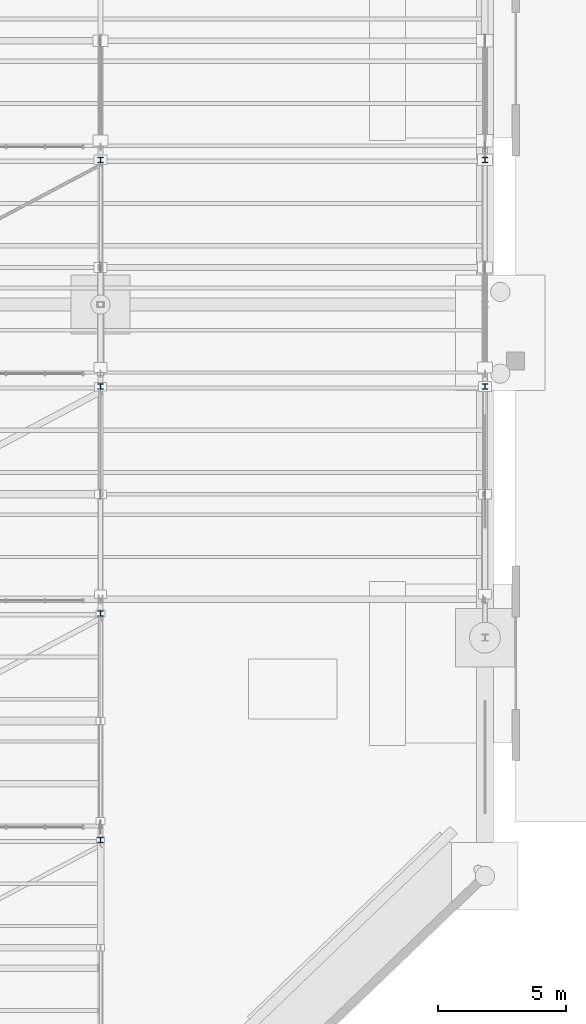
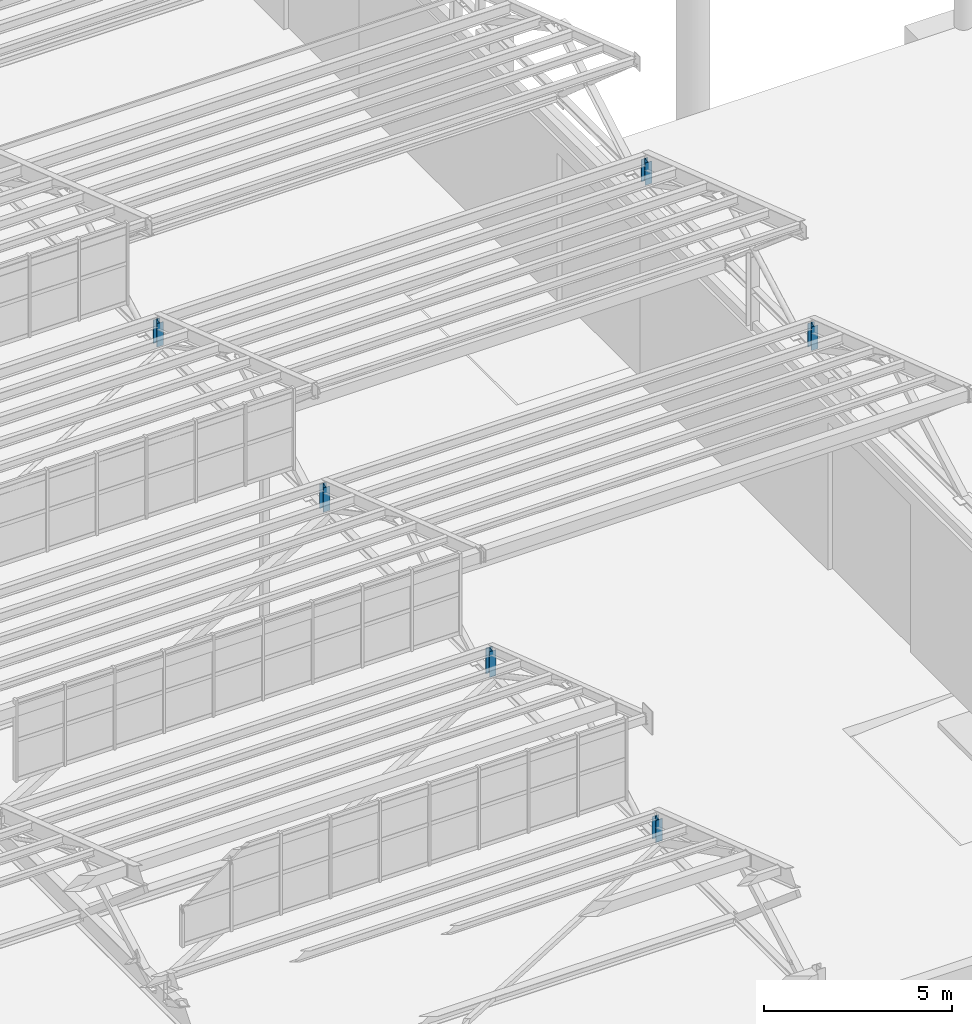
# One storey, part 153 of 285: 6 members.
"""IFC4 building model written with IfcOpenShell, lengths in metres."""

from ifc_helpers import new_model, si_unit, direction, frame, origin, origin_2d, place, context, subcontext, project, spatial, i_section, extrude, material, material_profile, profile_set, type_object, element, save


model = new_model("IFC4")

# Units and contexts
model_context = context("Model", 3, precision=1e-05, world=origin(), true_north=direction((0.0, 1.0)))
body_context = subcontext(model_context, "Body", "Model", "MODEL_VIEW")
ifc_project = project(units=[si_unit("LENGTHUNIT", "METRE"), si_unit("AREAUNIT", "SQUARE_METRE"), si_unit("VOLUMEUNIT", "CUBIC_METRE"), si_unit("PLANEANGLEUNIT", "RADIAN"), si_unit("MASSUNIT", "GRAM", prefix="KILO")], contexts=[model_context])

# Site, building, storey
site_placement = place(None, origin())
site = spatial("IfcSite", under=ifc_project, at=site_placement, CompositionType="ELEMENT")
building_placement = place(site_placement, origin())
building = spatial("IfcBuilding", under=site, at=building_placement, Name="Solanera Park Tramway Depot", CompositionType="ELEMENT")
storey_placement = place(building_placement, origin())
storey = spatial("IfcBuildingStorey", under=building, at=storey_placement, Name="L00", CompositionType="ELEMENT", Elevation=0.0)

# Members
ifc_material = material(Name="Steel AS/NZS 3679.1 Grade 350", Category="steel")
ifc_material_profile = material_profile(ifc_material, i_section(OverallWidth=0.205078125, OverallDepth=0.209716796875, WebThickness=0.00927734375, FlangeThickness=0.01416015625, at=origin_2d()), Name="200UC59.5")
ifc_profile_set = profile_set([ifc_material_profile], Name="Steel AS/NZS 3679.1 Grade 350")
member_type = type_object("IfcMemberType", Name="Roof Gantry Compression Strut 200UC59.5", PredefinedType="STRUT", material=ifc_profile_set)
member_1_placement = place(storey_placement, frame((135.0, 64.10009765625, 6.5), z_axis=(0.0, 0.0, 1.0), x_axis=(1.0, 0.0, 0.0)))
element("IfcMember", 1, at=member_1_placement, inside=storey, type_object=member_type, Name="Sawtooth ROOF TRUSS Valley Post 200UC59.5 #0009", PredefinedType="STRUT", context=body_context, shape_type="SweptSolid", body=[
    extrude(i_section(OverallWidth=0.205078125, OverallDepth=0.209716796875, WebThickness=0.00927734375, FlangeThickness=0.01416015625, at=origin_2d()), origin(), (0.0, 0.0, 1.0), 0.724365234375),
])
member_2_placement = place(storey_placement, frame((135.0, 72.949951171875, 6.5), z_axis=(0.0, 0.0, 1.0), x_axis=(1.0, 0.0, 0.0)))
element("IfcMember", 2, at=member_2_placement, inside=storey, type_object=member_type, Name="Sawtooth ROOF TRUSS Valley Post 200UC59.5 #0018", PredefinedType="STRUT", context=body_context, shape_type="SweptSolid", body=[
    extrude(i_section(OverallWidth=0.205078125, OverallDepth=0.209716796875, WebThickness=0.00927734375, FlangeThickness=0.01416015625, at=origin_2d()), origin(), (0.0, 0.0, 1.0), 0.83740234375),
])
member_3_placement = place(storey_placement, frame((135.0, 81.800048828125, 6.5), z_axis=(0.0, 0.0, 1.0), x_axis=(1.0, 0.0, 0.0)))
element("IfcMember", 3, at=member_3_placement, inside=storey, type_object=member_type, Name="Sawtooth ROOF TRUSS Valley Post 200UC59.5 #0028", PredefinedType="STRUT", context=body_context, shape_type="SweptSolid", body=[
    extrude(i_section(OverallWidth=0.205078125, OverallDepth=0.209716796875, WebThickness=0.00927734375, FlangeThickness=0.01416015625, at=origin_2d()), origin(), (0.0, 0.0, 1.0), 0.78759765625),
])
for number, where, z_axis, x_axis, name in (
    (4, (150.0, 81.800048828125, 6.5), (0.0, 0.0, 1.0), (1.0, 0.0, 0.0), "Sawtooth ROOF TRUSS Valley Post 200UC59.5 #0029"),
    (5, (135.0, 90.64990234375, 6.5), (0.0, 0.0, 1.0), (1.0, 0.0, 0.0), "Sawtooth ROOF TRUSS Valley Post 200UC59.5 #0039"),
):
    element("IfcMember", number, at=place(storey_placement, frame(where, z_axis=z_axis, x_axis=x_axis)), inside=storey, type_object=member_type, Name=name, PredefinedType="STRUT", context=body_context, shape_type="SweptSolid", body=[
        extrude(i_section(OverallWidth=0.205078125, OverallDepth=0.209716796875, WebThickness=0.00927734375, FlangeThickness=0.01416015625, at=origin_2d()), origin(), (0.0, 0.0, 1.0), 0.76220703125),
    ])
member_4_placement = place(storey_placement, frame((150.0, 90.64990234375, 6.5), z_axis=(0.0, 0.0, 1.0), x_axis=(1.0, 0.0, 0.0)))
element("IfcMember", 6, at=member_4_placement, inside=storey, type_object=member_type, Name="Sawtooth ROOF TRUSS Valley Post 200UC59.5 #0040", PredefinedType="STRUT", context=body_context, shape_type="SweptSolid", body=[
    extrude(i_section(OverallWidth=0.205078125, OverallDepth=0.209716796875, WebThickness=0.00927734375, FlangeThickness=0.01416015625, at=origin_2d()), origin(), (0.0, 0.0, 1.0), 0.724365234375),
])

save(model, "model.ifc")
